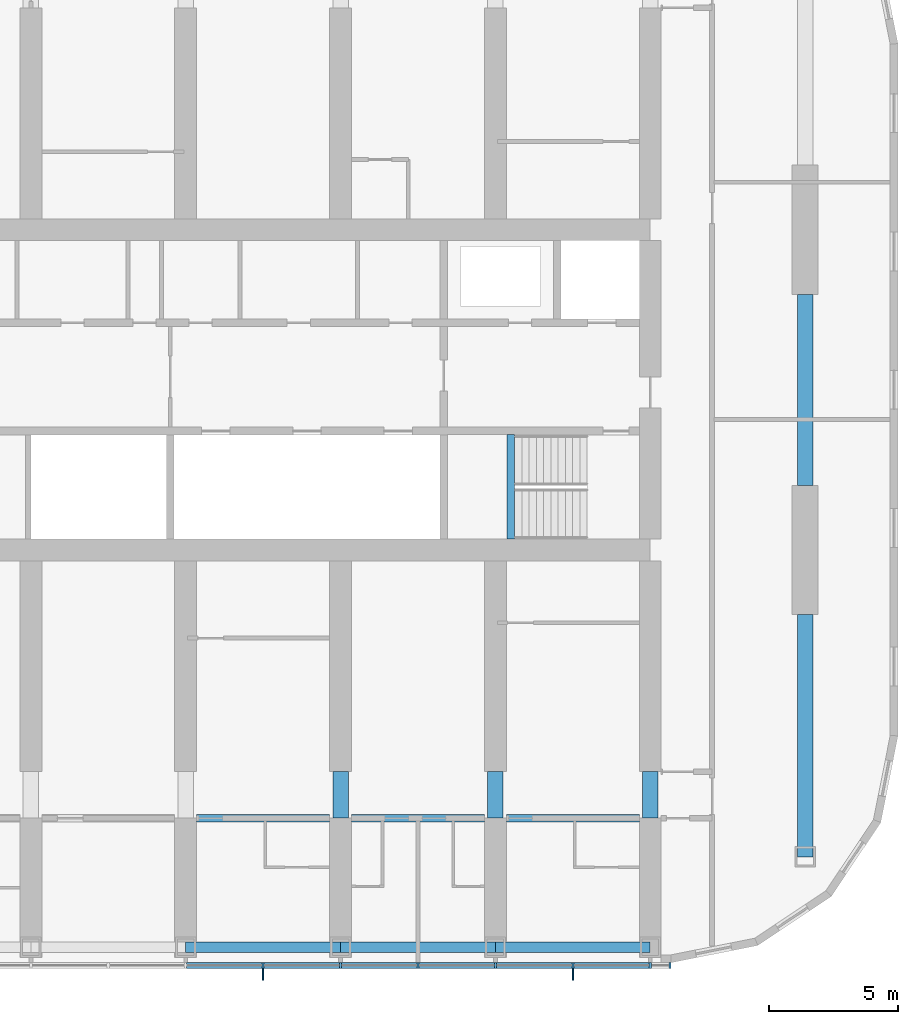
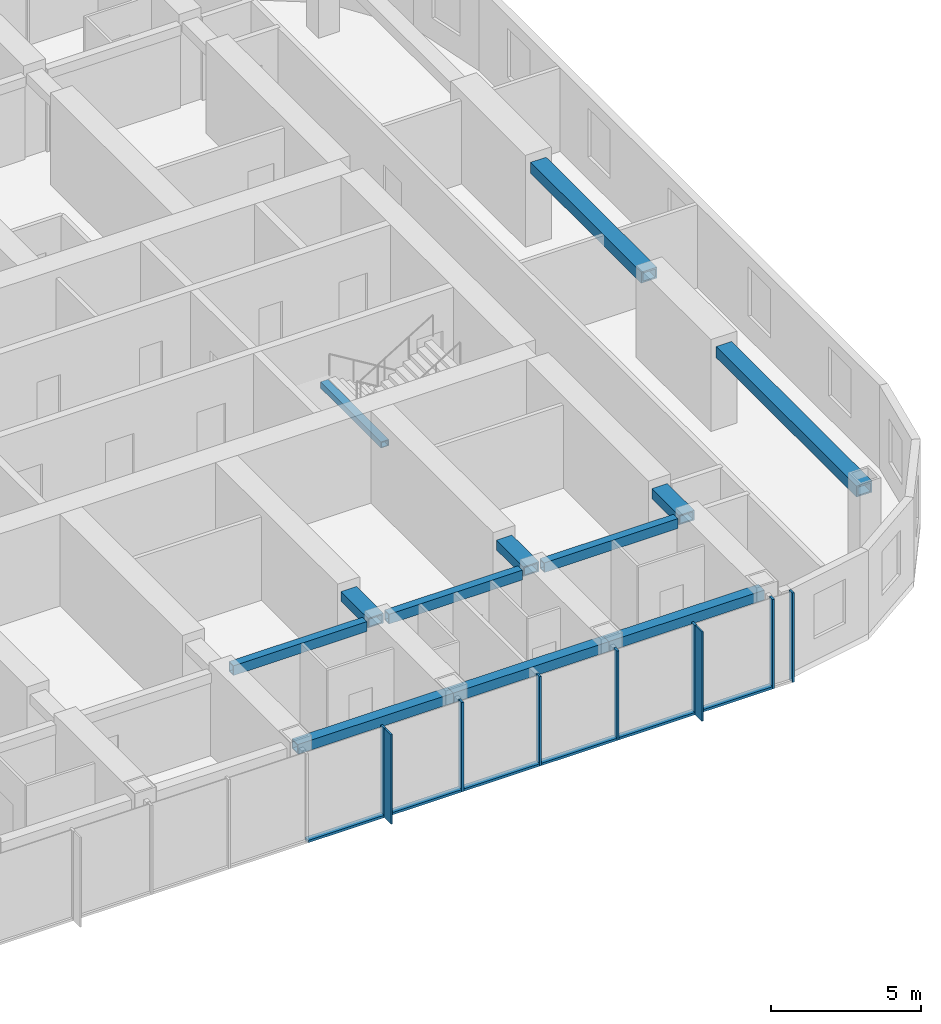
# One storey, part 3 of 22: 15 members, 12 beams, 1 element without a shape of its own.
"""IFC4 building model written with IfcOpenShell, lengths in metres."""

from ifc_helpers import new_model, si_unit, direction, frame, origin, origin_2d, place, context, subcontext, project, spatial, rectangle, hollow_rectangle, extrude, material, material_profile, profile_set, type_object, element, aggregate, save


model = new_model("IFC4")

# Units and contexts
model_context = context("Model", 3, precision=1e-05, world=origin(), true_north=direction((0.0, 1.0)))
body_context = subcontext(model_context, "Body", "Model", "MODEL_VIEW")
ifc_project = project(units=[si_unit("LENGTHUNIT", "METRE"), si_unit("AREAUNIT", "SQUARE_METRE"), si_unit("VOLUMEUNIT", "CUBIC_METRE"), si_unit("PLANEANGLEUNIT", "RADIAN"), si_unit("MASSUNIT", "GRAM", prefix="KILO")], contexts=[model_context])

# Site, building, storey
site_placement = place(None, origin())
site = spatial("IfcSite", under=ifc_project, at=site_placement, CompositionType="ELEMENT")
building_placement = place(site_placement, origin())
building = spatial("IfcBuilding", under=site, at=building_placement, Name="Orbita Commons", CompositionType="ELEMENT")
storey_placement = place(building_placement, frame((0.0, 0.0, 197.35009765625)))
storey = spatial("IfcBuildingStorey", under=building, at=storey_placement, Name="L49", CompositionType="ELEMENT", Elevation=197.35009765625)

# Curtain wall, members
ifc_material_1 = material(Name="Anodised aluminium frame, pale silver", Category="aluminium")
curtain_wall_type = type_object("IfcCurtainWallType", Name="Unitised curtain wall CW-U, full-height vision", PredefinedType="NOTDEFINED", material=ifc_material_1)
curtain_wall_placement = place(storey_placement, origin())
curtain_wall = element("IfcCurtainWall", 1, at=curtain_wall_placement, inside=storey, type_object=curtain_wall_type, Name="Curtain wall south L49", PredefinedType="NOTDEFINED")
ifc_material_2 = material(Name="Anodised aluminium, pale silver", Category="aluminium")
ifc_material_profile_1 = material_profile(ifc_material_2, rectangle(XDim=0.080078125, YDim=0.219970703125, at=origin_2d()), Name="AL 80x220")
ifc_profile_set_1 = profile_set([ifc_material_profile_1], Name="Anodised aluminium, pale silver")
member_type_1 = type_object("IfcMemberType", Name="Curtain wall mullion 80x220", PredefinedType="MULLION", material=ifc_profile_set_1)
member_1_placement = place(storey_placement, frame((51.0, 9.68994140625, -0.25), z_axis=(0.0, 0.0, 1.0), x_axis=(1.0, 0.0, 0.0)))
member_1 = element("IfcMember", 2, at=member_1_placement, type_object=member_type_1, Name="Mullion 13 CW-L49-S", PredefinedType="MULLION", context=body_context, shape_type="SweptSolid", body=[
    extrude(rectangle(XDim=0.080078125, YDim=0.219970703125, at=origin_2d()), origin(), (0.0, 0.0, 1.0), 3.64990234375),
])
member_2_placement = place(storey_placement, frame((54.0, 9.68994140625, -0.25), z_axis=(0.0, 0.0, 1.0), x_axis=(1.0, 0.0, 0.0)))
member_2 = element("IfcMember", 3, at=member_2_placement, type_object=member_type_1, Name="Mullion 14 CW-L49-S", PredefinedType="MULLION", context=body_context, shape_type="SweptSolid", body=[
    extrude(rectangle(XDim=0.080078125, YDim=0.219970703125, at=origin_2d()), origin(), (0.0, 0.0, 1.0), 3.64990234375),
])
member_3_placement = place(storey_placement, frame((57.0, 9.68994140625, -0.25), z_axis=(0.0, 0.0, 1.0), x_axis=(1.0, 0.0, 0.0)))
member_3 = element("IfcMember", 4, at=member_3_placement, type_object=member_type_1, Name="Mullion 15 CW-L49-S", PredefinedType="MULLION", context=body_context, shape_type="SweptSolid", body=[
    extrude(rectangle(XDim=0.080078125, YDim=0.219970703125, at=origin_2d()), origin(), (0.0, 0.0, 1.0), 3.64990234375),
])
member_4_placement = place(storey_placement, frame((60.0, 9.68994140625, -0.25), z_axis=(0.0, 0.0, 1.0), x_axis=(1.0, 0.0, 0.0)))
member_4 = element("IfcMember", 5, at=member_4_placement, type_object=member_type_1, Name="Mullion 16 CW-L49-S", PredefinedType="MULLION", context=body_context, shape_type="SweptSolid", body=[
    extrude(rectangle(XDim=0.080078125, YDim=0.219970703125, at=origin_2d()), origin(), (0.0, 0.0, 1.0), 3.64990234375),
])
member_5_placement = place(storey_placement, frame((63.0, 9.68994140625, -0.25), z_axis=(0.0, 0.0, 1.0), x_axis=(1.0, 0.0, 0.0)))
member_5 = element("IfcMember", 6, at=member_5_placement, type_object=member_type_1, Name="Mullion 17 CW-L49-S", PredefinedType="MULLION", context=body_context, shape_type="SweptSolid", body=[
    extrude(rectangle(XDim=0.080078125, YDim=0.219970703125, at=origin_2d()), origin(), (0.0, 0.0, 1.0), 3.64990234375),
])
member_6_placement = place(storey_placement, frame((66.0, 9.68994140625, -0.25), z_axis=(0.0, 0.0, 1.0), x_axis=(1.0, 0.0, 0.0)))
member_6 = element("IfcMember", 7, at=member_6_placement, type_object=member_type_1, Name="Mullion 18 CW-L49-S", PredefinedType="MULLION", context=body_context, shape_type="SweptSolid", body=[
    extrude(rectangle(XDim=0.080078125, YDim=0.219970703125, at=origin_2d()), origin(), (0.0, 0.0, 1.0), 3.64990234375),
])
member_7_placement = place(storey_placement, frame((66.760009765625, 9.68994140625, -0.25), z_axis=(0.0, 0.0, 1.0), x_axis=(1.0, 0.0, 0.0)))
member_7 = element("IfcMember", 8, at=member_7_placement, type_object=member_type_1, Name="Mullion 19 CW-L49-S", PredefinedType="MULLION", context=body_context, shape_type="SweptSolid", body=[
    extrude(rectangle(XDim=0.080078125, YDim=0.219970703125, at=origin_2d()), origin(), (0.0, 0.0, 1.0), 3.64990234375),
])
ifc_material_3 = material(Name="Anodised aluminium, pale silver", Category="aluminium")
ifc_material_profile_2 = material_profile(ifc_material_3, rectangle(XDim=0.219970703125, YDim=0.10009765625, at=origin_2d()), Name="AL 220x100")
ifc_profile_set_2 = profile_set([ifc_material_profile_2], Name="Anodised aluminium, pale silver")
member_type_2 = type_object("IfcMemberType", Name="Curtain wall stack transom 220x100", PredefinedType="USERDEFINED", material=ifc_profile_set_2)
member_8_placement = place(storey_placement, frame((48.0400390625, 9.68994140625, -0.2001953125), z_axis=(1.0, 0.0, 0.0), x_axis=(0.0, 1.0, 0.0)))
member_8 = element("IfcMember", 9, at=member_8_placement, type_object=member_type_2, Name="Transom 12.1 CW-L49-S", ObjectType="TRANSOM", PredefinedType="USERDEFINED", context=body_context, shape_type="SweptSolid", body=[
    extrude(rectangle(XDim=0.219970703125, YDim=0.10009765625, at=origin_2d()), origin(), (0.0, 0.0, 1.0), 2.919921875),
])
member_9_placement = place(storey_placement, frame((51.0400390625, 9.68994140625, -0.2001953125), z_axis=(1.0, 0.0, 0.0), x_axis=(0.0, 1.0, 0.0)))
member_9 = element("IfcMember", 10, at=member_9_placement, type_object=member_type_2, Name="Transom 13.1 CW-L49-S", ObjectType="TRANSOM", PredefinedType="USERDEFINED", context=body_context, shape_type="SweptSolid", body=[
    extrude(rectangle(XDim=0.219970703125, YDim=0.10009765625, at=origin_2d()), origin(), (0.0, 0.0, 1.0), 2.919921875),
])
member_10_placement = place(storey_placement, frame((54.0400390625, 9.68994140625, -0.2001953125), z_axis=(1.0, 0.0, 0.0), x_axis=(0.0, 1.0, 0.0)))
member_10 = element("IfcMember", 11, at=member_10_placement, type_object=member_type_2, Name="Transom 14.1 CW-L49-S", ObjectType="TRANSOM", PredefinedType="USERDEFINED", context=body_context, shape_type="SweptSolid", body=[
    extrude(rectangle(XDim=0.219970703125, YDim=0.10009765625, at=origin_2d()), origin(), (0.0, 0.0, 1.0), 2.919921875),
])
member_11_placement = place(storey_placement, frame((57.0400390625, 9.68994140625, -0.2001953125), z_axis=(1.0, 0.0, 0.0), x_axis=(0.0, 1.0, 0.0)))
member_11 = element("IfcMember", 12, at=member_11_placement, type_object=member_type_2, Name="Transom 15.1 CW-L49-S", ObjectType="TRANSOM", PredefinedType="USERDEFINED", context=body_context, shape_type="SweptSolid", body=[
    extrude(rectangle(XDim=0.219970703125, YDim=0.10009765625, at=origin_2d()), origin(), (0.0, 0.0, 1.0), 2.919921875),
])
member_12_placement = place(storey_placement, frame((60.0400390625, 9.68994140625, -0.2001953125), z_axis=(1.0, 0.0, 0.0), x_axis=(0.0, 1.0, 0.0)))
member_12 = element("IfcMember", 13, at=member_12_placement, type_object=member_type_2, Name="Transom 16.1 CW-L49-S", ObjectType="TRANSOM", PredefinedType="USERDEFINED", context=body_context, shape_type="SweptSolid", body=[
    extrude(rectangle(XDim=0.219970703125, YDim=0.10009765625, at=origin_2d()), origin(), (0.0, 0.0, 1.0), 2.919921875),
])
member_13_placement = place(storey_placement, frame((63.0400390625, 9.68994140625, -0.2001953125), z_axis=(1.0, 0.0, 0.0), x_axis=(0.0, 1.0, 0.0)))
member_13 = element("IfcMember", 14, at=member_13_placement, type_object=member_type_2, Name="Transom 17.1 CW-L49-S", ObjectType="TRANSOM", PredefinedType="USERDEFINED", context=body_context, shape_type="SweptSolid", body=[
    extrude(rectangle(XDim=0.219970703125, YDim=0.10009765625, at=origin_2d()), origin(), (0.0, 0.0, 1.0), 2.919921875),
])

# Beams
ifc_material_4 = material(Name="Steel ASTM A572 Gr 50 welded plate", Category="steel")
ifc_material_profile_3 = material_profile(ifc_material_4, hollow_rectangle(XDim=0.300048828125, YDim=0.25, WallThickness=0.02490234375, at=origin_2d()), Name="BOX 250x300x25")
ifc_profile_set_3 = profile_set([ifc_material_profile_3], Name="Steel ASTM A572 Gr 50 welded plate")
beam_type_1 = type_object("IfcBeamType", Name="Stair landing beam steel BOX 250x300x25", PredefinedType="BEAM", material=ifc_profile_set_3)
beam_1_placement = place(storey_placement, frame((60.60009765625, 26.2099609375, 1.5498046875), z_axis=(0.0, 1.0, 0.0), x_axis=(-1.0, 0.0, 0.0)))
element("IfcBeam", 15, at=beam_1_placement, inside=storey, type_object=beam_type_1, Name="Stair S2 landing beam L49 1", PredefinedType="BEAM", context=body_context, shape_type="SweptSolid", body=[
    extrude(hollow_rectangle(XDim=0.300048828125, YDim=0.25, WallThickness=0.02490234375, at=origin_2d()), origin(), (0.0, 0.0, 1.0), 4.054931640625),
])
ifc_material_5 = material(Name="Steel ASTM A572 Gr 50 welded plate", Category="steel")
ifc_material_profile_4 = material_profile(ifc_material_5, hollow_rectangle(XDim=0.300048828125, YDim=0.39990234375, WallThickness=0.0400390625, at=origin_2d()), Name="BOX 400x300x40")
ifc_profile_set_4 = profile_set([ifc_material_profile_4], Name="Steel ASTM A572 Gr 50 welded plate")
beam_type_2 = type_object("IfcBeamType", Name="Steel corridor link BOX 400x300x40", PredefinedType="BEAM", material=ifc_profile_set_4)
for number, where, z_axis, x_axis, name in (
    (16, (48.425048828125, 15.39990234375, 3.199951171875), (1.0, 0.0, 0.0), (0.0, 1.0, 0.0), "Corridor beam SA 9-10 L49"),
    (17, (54.425048828125, 15.39990234375, 3.199951171875), (1.0, 0.0, 0.0), (0.0, 1.0, 0.0), "Corridor beam SA 10-11 L49"),
    (18, (60.425048828125, 15.39990234375, 3.199951171875), (1.0, 0.0, 0.0), (0.0, 1.0, 0.0), "Corridor beam SA 11-12 L49"),
):
    element("IfcBeam", number, at=place(storey_placement, frame(where, z_axis=z_axis, x_axis=x_axis)), inside=storey, type_object=beam_type_2, Name=name, PredefinedType="BEAM", context=body_context, shape_type="SweptSolid", body=[
        extrude(hollow_rectangle(XDim=0.300048828125, YDim=0.39990234375, WallThickness=0.0400390625, at=origin_2d()), origin(), (0.0, 0.0, 1.0), 5.14990234375),
    ])
ifc_material_6 = material(Name="Steel ASTM A572 Gr 50 welded plate", Category="steel")
ifc_material_profile_5 = material_profile(ifc_material_6, hollow_rectangle(XDim=0.60009765625, YDim=0.39990234375, WallThickness=0.050048828125, at=origin_2d()), Name="BOX 400x600x50")
ifc_profile_set_5 = profile_set([ifc_material_profile_5], Name="Steel ASTM A572 Gr 50 welded plate")
beam_type_3 = type_object("IfcBeamType", Name="Steel coupling link BOX 400x600x50", PredefinedType="LINTEL", material=ifc_profile_set_5)
for number, where, z_axis, x_axis, name in (
    (19, (54.0, 15.39990234375, 3.199951171875), (0.0, 1.0, 0.0), (-1.0, 0.0, 0.0), "Coupling beam 10 south L49"),
    (20, (60.0, 15.39990234375, 3.199951171875), (0.0, 1.0, 0.0), (-1.0, 0.0, 0.0), "Coupling beam 11 south L49"),
    (21, (66.0, 15.39990234375, 3.199951171875), (0.0, 1.0, 0.0), (-1.0, 0.0, 0.0), "Coupling beam 12 south L49"),
):
    element("IfcBeam", number, at=place(storey_placement, frame(where, z_axis=z_axis, x_axis=x_axis)), inside=storey, type_object=beam_type_3, Name=name, PredefinedType="LINTEL", context=body_context, shape_type="SweptSolid", body=[
        extrude(hollow_rectangle(XDim=0.60009765625, YDim=0.39990234375, WallThickness=0.050048828125, at=origin_2d()), origin(), (0.0, 0.0, 1.0), 1.800048828125),
    ])
ifc_material_7 = material(Name="Steel ASTM A572 Gr 50 welded plate", Category="steel")
ifc_material_profile_6 = material_profile(ifc_material_7, hollow_rectangle(XDim=0.60009765625, YDim=0.449951171875, WallThickness=0.06005859375, at=origin_2d()), Name="BOX 450x600x60")
ifc_profile_set_6 = profile_set([ifc_material_profile_6], Name="Steel ASTM A572 Gr 50 welded plate")
beam_type_4 = type_object("IfcBeamType", Name="Steel end frame link BOX 450x600x60", PredefinedType="BEAM", material=ifc_profile_set_6)
beam_2_placement = place(storey_placement, frame((72.0, 13.89990234375, 3.1748046875), z_axis=(0.0, 1.0, 0.0), x_axis=(-1.0, 0.0, 0.0)))
element("IfcBeam", 22, at=beam_2_placement, inside=storey, type_object=beam_type_4, Name="End frame beam 13 B-C L49", PredefinedType="BEAM", context=body_context, shape_type="SweptSolid", body=[
    extrude(hollow_rectangle(XDim=0.60009765625, YDim=0.449951171875, WallThickness=0.06005859375, at=origin_2d()), origin(), (0.0, 0.0, 1.0), 9.400146484375),
])
beam_3_placement = place(storey_placement, frame((72.0, 28.300048828125, 3.1748046875), z_axis=(0.0, 1.0, 0.0), x_axis=(-1.0, 0.0, 0.0)))
element("IfcBeam", 23, at=beam_3_placement, inside=storey, type_object=beam_type_4, Name="End frame beam 13 C-D L49", PredefinedType="BEAM", context=body_context, shape_type="SweptSolid", body=[
    extrude(hollow_rectangle(XDim=0.60009765625, YDim=0.449951171875, WallThickness=0.06005859375, at=origin_2d()), origin(), (0.0, 0.0, 1.0), 7.39990234375),
])
ifc_material_8 = material(Name="Steel ASTM A572 Gr 50 welded plate", Category="steel")
ifc_material_profile_7 = material_profile(ifc_material_8, hollow_rectangle(XDim=0.39990234375, YDim=0.39990234375, WallThickness=0.0400390625, at=origin_2d()), Name="BOX 400x400x40")
ifc_profile_set_7 = profile_set([ifc_material_profile_7], Name="Steel ASTM A572 Gr 50 welded plate")
beam_type_5 = type_object("IfcBeamType", Name="Steel spandrel BOX 400x400x40", PredefinedType="SPANDREL", material=ifc_profile_set_7)
for number, where, z_axis, x_axis, name in (
    (24, (48.0, 10.39990234375, 3.199951171875), (1.0, 0.0, 0.0), (0.0, 1.0, 0.0), "Spandrel beam B 9-10 L49"),
    (25, (54.0, 10.39990234375, 3.199951171875), (1.0, 0.0, 0.0), (0.0, 1.0, 0.0), "Spandrel beam B 10-11 L49"),
    (26, (60.0, 10.39990234375, 3.199951171875), (1.0, 0.0, 0.0), (0.0, 1.0, 0.0), "Spandrel beam B 11-12 L49"),
):
    element("IfcBeam", number, at=place(storey_placement, frame(where, z_axis=z_axis, x_axis=x_axis)), inside=storey, type_object=beam_type_5, Name=name, PredefinedType="SPANDREL", context=body_context, shape_type="SweptSolid", body=[
        extrude(hollow_rectangle(XDim=0.39990234375, YDim=0.39990234375, WallThickness=0.0400390625, at=origin_2d()), origin(), (0.0, 0.0, 1.0), 6.0),
    ])

# Member
ifc_material_9 = material(Name="Anodised aluminium, pale silver", Category="aluminium")
ifc_material_profile_8 = material_profile(ifc_material_9, rectangle(XDim=0.06005859375, YDim=0.449951171875, at=origin_2d()), Name="FIN 60x450")
ifc_profile_set_8 = profile_set([ifc_material_profile_8], Name="Anodised aluminium, pale silver")
member_type_3 = type_object("IfcMemberType", Name="Vertical fin 60x450 pale aluminium", PredefinedType="USERDEFINED", material=ifc_profile_set_8)
member_14_placement = place(storey_placement, frame((51.0, 9.35498046875, -0.25), z_axis=(0.0, 0.0, 1.0), x_axis=(1.0, 0.0, 0.0)))
member_14 = element("IfcMember", 27, at=member_14_placement, type_object=member_type_3, Name="Fin 13 CW-L49-S", ObjectType="FIN", PredefinedType="USERDEFINED", context=body_context, shape_type="SweptSolid", body=[
    extrude(rectangle(XDim=0.06005859375, YDim=0.449951171875, at=origin_2d()), origin(), (0.0, 0.0, 1.0), 3.64990234375),
])

member_15_placement = place(storey_placement, frame((63.0, 9.35498046875, -0.25), z_axis=(0.0, 0.0, 1.0), x_axis=(1.0, 0.0, 0.0)))
member_15 = element("IfcMember", 28, at=member_15_placement, type_object=member_type_3, Name="Fin 17 CW-L49-S", ObjectType="FIN", PredefinedType="USERDEFINED", context=body_context, shape_type="SweptSolid", body=[
    extrude(rectangle(XDim=0.06005859375, YDim=0.449951171875, at=origin_2d()), origin(), (0.0, 0.0, 1.0), 3.64990234375),
])

aggregate(curtain_wall, [member_1, member_14, member_2, member_3, member_4, member_5, member_15, member_6, member_7, member_8, member_9, member_10, member_11, member_12, member_13])

save(model, "model.ifc")
